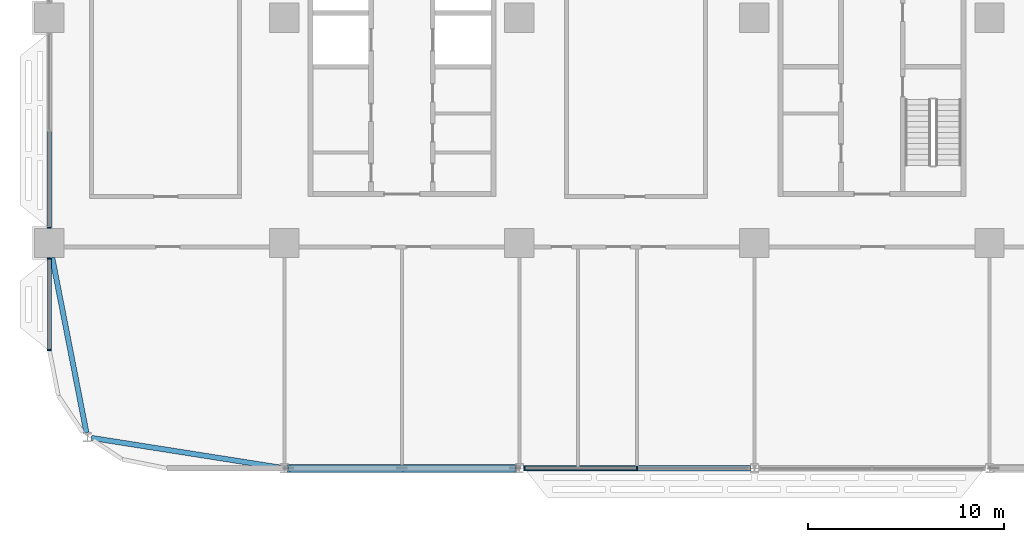
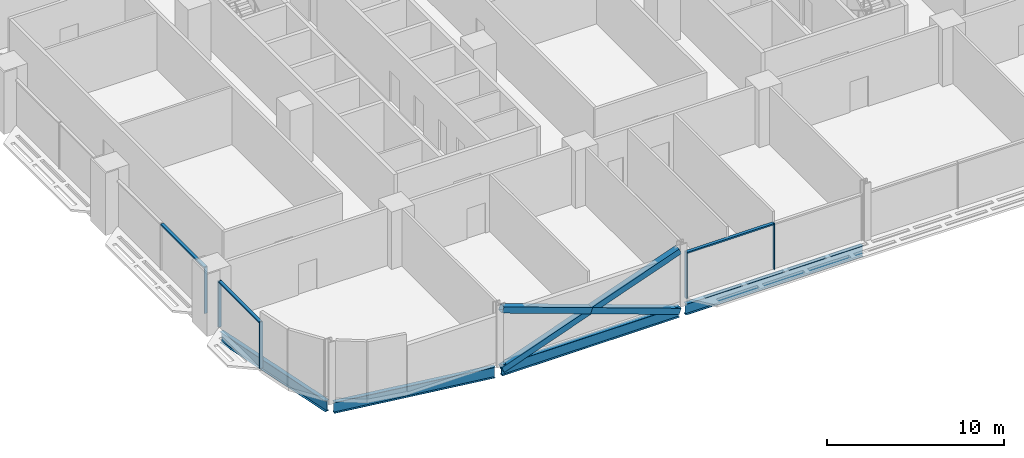
# One storey, part 3 of 29: 11 members, 4 beams, 3 elements without a shape of their own.
"""IFC4 building model written with IfcOpenShell, lengths in metres."""

import ifcopenshell
import ifcopenshell.guid

model = None  # the IFC model being written
_history = None  # IfcOwnerHistory: only IFC2X3 demands one
_inside = {}  # id of a spatial element -> (the spatial element, [elements in it])
_under = {}  # id of a project, library or spatial element -> (it, [spatial elements below it])
_declared = {}  # id of a project -> (the project, [libraries it declares])
_typed = {}  # id of a type object -> (the type object, [elements of that type])
_made_of = {}  # id of a material, layer set ... -> (it, [elements and type objects made of it])


def new_model(schema):
    """Start an empty IFC model of exactly this schema.

    Asked for "IFC4X3", IfcOpenShell would pick the latest addendum, in which some entities
    have other attributes; the version numbers below select the first issue.
    IFC2X3 requires an IfcOwnerHistory on every rooted entity: one is made here for all.
    """
    global model, _history
    if schema == "IFC4X3":
        model = ifcopenshell.file(schema_version=(4, 3, 0, 0))
    else:
        model = ifcopenshell.file(schema=schema)
    _inside.clear()
    _under.clear()
    _declared.clear()
    _typed.clear()
    _made_of.clear()
    _history = None
    if model.schema == "IFC2X3":
        org = make("IfcOrganization", Name="unknown")
        user = make(
            "IfcPersonAndOrganization",
            ThePerson=make("IfcPerson", FamilyName="unknown"),
            TheOrganization=org,
        )
        app = make(
            "IfcApplication",
            ApplicationDeveloper=org,
            Version="unknown",
            ApplicationFullName="unknown",
            ApplicationIdentifier="unknown",
        )
        _history = make(
            "IfcOwnerHistory",
            OwningUser=user,
            OwningApplication=app,
            ChangeAction="ADDED",
            CreationDate=0,
        )
    return model


def make(cls, **values):
    """One entity of the class cls with the attributes given. An attribute that is None is left unset."""
    return model.create_entity(
        cls, **{name: value for name, value in values.items() if value is not None}
    )


def rooted(cls, **values):
    """An entity with a GlobalId (a new one), such as an element, a storey or a relation."""
    return make(cls, GlobalId=ifcopenshell.guid.new(), OwnerHistory=_history, **values)


def si_unit(unit_type, name, prefix=None):
    """IfcSIUnit, for example si_unit("LENGTHUNIT", "METRE", prefix="MILLI")."""
    return make("IfcSIUnit", UnitType=unit_type, Prefix=prefix, Name=name)


def assignment(units):
    """IfcUnitAssignment: the units of a project."""
    return None if units is None else make("IfcUnitAssignment", Units=units)


def point(xyz):
    """IfcCartesianPoint."""
    return None if xyz is None else make("IfcCartesianPoint", Coordinates=xyz)


def direction(xyz):
    """IfcDirection."""
    return None if xyz is None else make("IfcDirection", DirectionRatios=xyz)


def frame(location, z_axis=None, x_axis=None):
    """IfcAxis2Placement3D, a coordinate frame: its origin and axes. An axis left out is left unset."""
    return make(
        "IfcAxis2Placement3D",
        Location=point(location),
        Axis=direction(z_axis),
        RefDirection=direction(x_axis),
    )


def frame_2d(location, x_axis=None):
    """IfcAxis2Placement2D, a coordinate frame in the plane: its origin and x axis."""
    return make(
        "IfcAxis2Placement2D", Location=point(location), RefDirection=direction(x_axis)
    )


def origin():
    """The frame at (0, 0, 0) with its axes left unset."""
    return frame((0.0, 0.0, 0.0))


def origin_2d():
    """The frame at (0, 0) in the plane with its x axis left unset."""
    return frame_2d((0.0, 0.0))


def place(relative_to, where):
    """IfcLocalPlacement: puts the frame where relative to a parent placement (None: the world)."""
    return make(
        "IfcLocalPlacement", PlacementRelTo=relative_to, RelativePlacement=where
    )


def context(
    kind, dimensions, precision=None, world=None, true_north=None, identifier=None
):
    """IfcGeometricRepresentationContext, for example the 3D "Model" context."""
    return make(
        "IfcGeometricRepresentationContext",
        ContextIdentifier=identifier,
        ContextType=kind,
        CoordinateSpaceDimension=dimensions,
        Precision=precision,
        WorldCoordinateSystem=world,
        TrueNorth=true_north,
    )


def subcontext(parent, identifier, kind, view, scale=None):
    """IfcGeometricRepresentationSubContext, for example "Body" below "Model"."""
    return make(
        "IfcGeometricRepresentationSubContext",
        ContextIdentifier=identifier,
        ContextType=kind,
        ParentContext=parent,
        TargetScale=scale,
        TargetView=view,
    )


def project(units=None, contexts=None):
    """IfcProject with its units and contexts."""
    return rooted(
        "IfcProject",
        Name="project",
        RepresentationContexts=contexts,
        UnitsInContext=assignment(units),
    )


def spatial(cls, under=None, at=None, **own):
    """A site, building, storey or space (cls), placed at a placement, below another one or the project."""
    s = rooted(cls, ObjectPlacement=at, **own)
    if under is not None:
        _under.setdefault(under.id(), (under, []))[1].append(s)
    return s


def profile(cls, at=None, kind="AREA", **sizes):
    """A parametric profile (cls). Its sizes go by their IFC names, for example OverallWidth=200.0."""
    return make(cls, ProfileType=kind, Position=at, **sizes)


def rectangle(**sizes):
    """IfcRectangleProfileDef."""
    return profile("IfcRectangleProfileDef", **sizes)


def hollow_rectangle(**sizes):
    """IfcRectangleHollowProfileDef."""
    return profile("IfcRectangleHollowProfileDef", **sizes)


def i_section(**sizes):
    """IfcIShapeProfileDef."""
    return profile("IfcIShapeProfileDef", **sizes)


def extrude(swept, where, along, depth):
    """IfcExtrudedAreaSolid: the profile swept, set in the frame where, extruded along a direction by depth."""
    return make(
        "IfcExtrudedAreaSolid",
        SweptArea=swept,
        Position=where,
        ExtrudedDirection=direction(along),
        Depth=depth,
    )


def shape(context_of_items, identifier, shape_type, items):
    """IfcShapeRepresentation: the items that make up one representation, for example the "Body"."""
    return make(
        "IfcShapeRepresentation",
        ContextOfItems=context_of_items,
        RepresentationIdentifier=identifier,
        RepresentationType=shape_type,
        Items=items,
    )


def material(Name=None, Category=None):
    """IfcMaterial."""
    return make("IfcMaterial", Name=Name, Category=Category)


def material_profile(
    of_material, cross_section, Name=None, Category=None, Priority=None
):
    """IfcMaterialProfile: a cross section and its material."""
    return make(
        "IfcMaterialProfile",
        Name=Name,
        Material=of_material,
        Profile=cross_section,
        Priority=Priority,
        Category=Category,
    )


def profile_set(profiles, Name=None, composite=None):
    """IfcMaterialProfileSet."""
    return make(
        "IfcMaterialProfileSet",
        Name=Name,
        MaterialProfiles=profiles,
        CompositeProfile=composite,
    )


def made_of(thing, what):
    """Note that an element or type object is made of a material, layer set ...; save() writes the relation."""
    if what is not None:
        _made_of.setdefault(what.id(), (what, []))[1].append(thing)
    return thing


def type_object(cls, material=None, **own):
    """A type object (cls), such as IfcWallType, which elements share."""
    return made_of(rooted(cls, **own), material)


def element(
    cls,
    number,
    at=None,
    inside=None,
    cuts=None,
    type_object=None,
    material=None,
    context=None,
    identifier="Body",
    shape_type=None,
    held_by="IfcProductDefinitionShape",
    body=None,
    shapes=None,
    **own,
):
    """One element of the class cls, such as IfcWall. Its Tag is "e" and its number.

    at: its placement. inside: the storey or other place that contains it. cuts: it is an
    opening in that element (IfcRelVoidsElement). A single representation is given by context,
    identifier, shape_type and body (its items); several are given by shapes. held_by: the class
    of the entity that holds the representations. save() writes the other relations.
    """
    e = rooted(cls, Tag="e%d" % number, ObjectPlacement=at, **own)
    if body is not None:
        shapes = [shape(context, identifier, shape_type, body)]
    if shapes is not None:
        e.Representation = make(held_by, Representations=shapes)
    if inside is not None:
        _inside.setdefault(inside.id(), (inside, []))[1].append(e)
    if cuts is not None:
        rooted(
            "IfcRelVoidsElement", RelatingBuildingElement=cuts, RelatedOpeningElement=e
        )
    if type_object is not None:
        _typed.setdefault(type_object.id(), (type_object, []))[1].append(e)
    return made_of(e, material)


def aggregate(whole, parts):
    """IfcRelAggregates: a whole, such as a stair, and the parts it consists of."""
    return rooted("IfcRelAggregates", RelatingObject=whole, RelatedObjects=parts)


def save(model, path):
    """Write the relations noted so far, then the file.

    IfcRelAggregates (storeys below a building ...), IfcRelContainedInSpatialStructure (elements
    in a storey), IfcRelDefinesByType, IfcRelAssociatesMaterial and IfcRelDeclares: one each for
    every whole, place, type object, material and project.
    """
    for whole, parts in _under.values():
        aggregate(whole, parts)
    for where, things in _inside.values():
        rooted(
            "IfcRelContainedInSpatialStructure",
            RelatedElements=things,
            RelatingStructure=where,
        )
    for kind, things in _typed.values():
        rooted("IfcRelDefinesByType", RelatedObjects=things, RelatingType=kind)
    for what, things in _made_of.values():
        rooted("IfcRelAssociatesMaterial", RelatedObjects=things, RelatingMaterial=what)
    for by, libraries in _declared.values():
        rooted("IfcRelDeclares", RelatingContext=by, RelatedDefinitions=libraries)
    model.write(path)


model = new_model("IFC4")

# Units and contexts
model_context = context("Model", 3, precision=1e-05, world=origin(), true_north=direction((0.0, 1.0)))
body_context = subcontext(model_context, "Body", "Model", "MODEL_VIEW")
ifc_project = project(units=[si_unit("LENGTHUNIT", "METRE"), si_unit("AREAUNIT", "SQUARE_METRE"), si_unit("VOLUMEUNIT", "CUBIC_METRE"), si_unit("PLANEANGLEUNIT", "RADIAN"), si_unit("MASSUNIT", "GRAM", prefix="KILO")], contexts=[model_context])

# Site, building, storey
site_placement = place(None, origin())
site = spatial("IfcSite", under=ifc_project, at=site_placement, CompositionType="ELEMENT")
building_placement = place(site_placement, origin())
building = spatial("IfcBuilding", under=site, at=building_placement, Name="Mahtab Terrace Research Tower", CompositionType="ELEMENT")
storey_placement = place(building_placement, frame((0.0, 0.0, 58.89990234375)))
storey = spatial("IfcBuildingStorey", under=building, at=storey_placement, Name="L13", CompositionType="ELEMENT", Elevation=58.89990234375)

# Members
ifc_material_1 = material(Name="Steel ASTM A500 Gr C", Category="steel")
ifc_material_profile_1 = material_profile(ifc_material_1, hollow_rectangle(XDim=0.406494140625, YDim=0.406494140625, WallThickness=0.01904296875, at=origin_2d()), Name="HSS16X16X3/4")
ifc_profile_set_1 = profile_set([ifc_material_profile_1], Name="Steel ASTM A500 Gr C")
member_type_1 = type_object("IfcMemberType", Name="HSS 16x16x3/4 brace XB161634", PredefinedType="BRACE", material=ifc_profile_set_1)
member_1_placement = place(storey_placement, frame((-29.787841796875, -23.0, -0.642333984375), z_axis=(0.941386519928, 0.0, 0.337329838731), x_axis=(0.0, 1.0, 0.0)))
element("IfcMember", 1, at=member_1_placement, inside=storey, type_object=member_type_1, Name="Exoskeleton brace L13 14 a", PredefinedType="BRACE", context=body_context, shape_type="SweptSolid", body=[
    extrude(hollow_rectangle(XDim=0.406494140625, YDim=0.406494140625, WallThickness=0.01904296875, at=origin_2d()), origin(), (0.0, 0.0, 1.0), 12.29638671875),
])
for number, where, z_axis, x_axis, name in (
    (2, (-18.212158203125, -23.0, -0.642333984375), (-0.941386519928, 0.0, 0.337329838731), (0.0, -1.0, 0.0), "Exoskeleton brace L13 14 b1"),
    (3, (-24.0, -23.0, 1.431640625), (-0.941386519928, 0.0, 0.337329838731), (0.0, -1.0, 0.0), "Exoskeleton brace L13 14 b2"),
):
    element("IfcMember", number, at=place(storey_placement, frame(where, z_axis=z_axis, x_axis=x_axis)), inside=storey, type_object=member_type_1, Name=name, PredefinedType="BRACE", context=body_context, shape_type="SweptSolid", body=[
        extrude(hollow_rectangle(XDim=0.406494140625, YDim=0.406494140625, WallThickness=0.01904296875, at=origin_2d()), origin(), (0.0, 0.0, 1.0), 6.148193359375),
    ])

# Curtain wall, member
ifc_material_2 = material(Name="Laboratory ribbon curtain wall")
curtain_wall_type = type_object("IfcCurtainWallType", Name="Laboratory ribbon curtain wall", PredefinedType="NOTDEFINED", material=ifc_material_2)
curtain_wall_1_placement = place(storey_placement, origin())
curtain_wall_1 = element("IfcCurtainWall", 4, at=curtain_wall_1_placement, inside=storey, type_object=curtain_wall_type, Name="EN.L13.8.17", PredefinedType="NOTDEFINED")
ifc_material_3 = material(Name="Natural anodised aluminium", Category="aluminium")
ifc_material_profile_2 = material_profile(ifc_material_3, rectangle(XDim=0.199951171875, YDim=0.06494140625, at=origin_2d()), Name="MULLION 65x200")
ifc_profile_set_2 = profile_set([ifc_material_profile_2], Name="Natural anodised aluminium")
member_type_2 = type_object("IfcMemberType", Name="Laboratory ribbon curtain wall mullion", PredefinedType="MULLION", material=ifc_profile_set_2)
member_2_placement = place(storey_placement, frame((-42.0, -10.717529296875, 0.0), z_axis=(0.0, 0.0, 1.0), x_axis=(1.0, 0.0, 0.0)))
member_2 = element("IfcMember", 5, at=member_2_placement, type_object=member_type_2, Name="CWL-2 mullion 3", PredefinedType="MULLION", context=body_context, shape_type="SweptSolid", body=[
    extrude(rectangle(XDim=0.199951171875, YDim=0.06494140625, at=origin_2d()), origin(), (0.0, 0.0, 1.0), 3.203125),
])

# Curtain wall, members
curtain_wall_2_placement = place(storey_placement, origin())
curtain_wall_2 = element("IfcCurtainWall", 6, at=curtain_wall_2_placement, inside=storey, type_object=curtain_wall_type, Name="EN.L13.8.18", PredefinedType="NOTDEFINED")
member_3_placement = place(storey_placement, frame((-42.0, -12.282470703125, 0.0), z_axis=(0.0, 0.0, 1.0), x_axis=(1.0, 0.0, 0.0)))
member_3 = element("IfcMember", 7, at=member_3_placement, type_object=member_type_2, Name="CWL-2 mullion 1", PredefinedType="MULLION", context=body_context, shape_type="SweptSolid", body=[
    extrude(rectangle(XDim=0.199951171875, YDim=0.06494140625, at=origin_2d()), origin(), (0.0, 0.0, 1.0), 3.203125),
])
member_4_placement = place(storey_placement, frame((-42.0, -16.967529296875, 0.0), z_axis=(0.0, 0.0, 1.0), x_axis=(1.0, 0.0, 0.0)))
member_4 = element("IfcMember", 8, at=member_4_placement, type_object=member_type_2, Name="CWL-2 mullion 2", PredefinedType="MULLION", context=body_context, shape_type="SweptSolid", body=[
    extrude(rectangle(XDim=0.199951171875, YDim=0.06494140625, at=origin_2d()), origin(), (0.0, 0.0, 1.0), 3.203125),
])

curtain_wall_3_placement = place(storey_placement, origin())
curtain_wall_3 = element("IfcCurtainWall", 9, at=curtain_wall_3_placement, inside=storey, type_object=curtain_wall_type, Name="EN.L13.13.25", PredefinedType="NOTDEFINED")
member_5_placement = place(storey_placement, frame((-17.7294921875, -23.0, 0.0), z_axis=(0.0, 0.0, 1.0), x_axis=(0.0, 1.0, 0.0)))
member_5 = element("IfcMember", 10, at=member_5_placement, type_object=member_type_2, Name="CWL-2 mullion 1", PredefinedType="MULLION", context=body_context, shape_type="SweptSolid", body=[
    extrude(rectangle(XDim=0.199951171875, YDim=0.06494140625, at=origin_2d()), origin(), (0.0, 0.0, 1.0), 3.203125),
])
member_6_placement = place(storey_placement, frame((-12.0, -23.0, 0.0), z_axis=(0.0, 0.0, 1.0), x_axis=(0.0, 1.0, 0.0)))
member_6 = element("IfcMember", 11, at=member_6_placement, type_object=member_type_2, Name="CWL-2 mullion 2", PredefinedType="MULLION", context=body_context, shape_type="SweptSolid", body=[
    extrude(rectangle(XDim=0.199951171875, YDim=0.06494140625, at=origin_2d()), origin(), (0.0, 0.0, 1.0), 3.203125),
])

# Member
ifc_material_profile_3 = material_profile(ifc_material_3, rectangle(XDim=0.199951171875, YDim=0.10009765625, at=origin_2d()), Name="TRANSOM 100x200")
ifc_profile_set_3 = profile_set([ifc_material_profile_3], Name="Natural anodised aluminium")
member_type_3 = type_object("IfcMemberType", Name="Laboratory ribbon curtain wall transom", PredefinedType="USERDEFINED", material=ifc_profile_set_3)
member_7_placement = place(storey_placement, frame((-42.0, -5.782470703125, 3.153076171875), z_axis=(0.0, -1.0, 0.0), x_axis=(1.0, 0.0, 0.0)))
member_7 = element("IfcMember", 12, at=member_7_placement, type_object=member_type_3, Name="CWL-2 transom 2", ObjectType="TRANSOM", PredefinedType="USERDEFINED", context=body_context, shape_type="SweptSolid", body=[
    extrude(rectangle(XDim=0.199951171875, YDim=0.10009765625, at=origin_2d()), origin(), (0.0, 0.0, 1.0), 4.902587890625),
])

aggregate(curtain_wall_1, [member_2, member_7])

member_8_placement = place(storey_placement, frame((-42.0, -12.31494140625, 3.153076171875), z_axis=(0.0, -1.0, 0.0), x_axis=(1.0, 0.0, 0.0)))
member_8 = element("IfcMember", 13, at=member_8_placement, type_object=member_type_3, Name="CWL-2 transom 1", ObjectType="TRANSOM", PredefinedType="USERDEFINED", context=body_context, shape_type="SweptSolid", body=[
    extrude(rectangle(XDim=0.199951171875, YDim=0.10009765625, at=origin_2d()), origin(), (0.0, 0.0, 1.0), 4.6201171875),
])

aggregate(curtain_wall_2, [member_3, member_4, member_8])

member_9_placement = place(storey_placement, frame((-17.697021484375, -23.0, 3.153076171875), z_axis=(1.0, 0.0, 0.0), x_axis=(0.0, 1.0, 0.0)))
member_9 = element("IfcMember", 14, at=member_9_placement, type_object=member_type_3, Name="CWL-2 transom 1", ObjectType="TRANSOM", PredefinedType="USERDEFINED", context=body_context, shape_type="SweptSolid", body=[
    extrude(rectangle(XDim=0.199951171875, YDim=0.10009765625, at=origin_2d()), origin(), (0.0, 0.0, 1.0), 5.66455078125),
])

aggregate(curtain_wall_3, [member_5, member_6, member_9])

# Beams
ifc_material_4 = material(Name="Steel ASTM A992 Gr 50", Category="steel")
ifc_material_profile_4 = material_profile(ifc_material_4, i_section(OverallWidth=0.2666015625, OverallDepth=0.7568359375, WebThickness=0.013916015625, FlangeThickness=0.019287109375, at=origin_2d()), Name="W30X108")
ifc_profile_set_4 = profile_set([ifc_material_profile_4], Name="Steel ASTM A992 Gr 50")
beam_type = type_object("IfcBeamType", Name="W30x108 beam BS30108", PredefinedType="BEAM", material=ifc_profile_set_4)
beam_1_placement = place(storey_placement, frame((-41.853515625, -12.25, -0.71826171875), z_axis=(0.191825617976, -0.981429025599, 0.0), x_axis=(0.981429025599, 0.191825617976, 0.0)))
element("IfcBeam", 15, at=beam_1_placement, inside=storey, type_object=beam_type, Name="Spandrel beam L13 12", PredefinedType="BEAM", context=body_context, shape_type="SweptSolid", body=[
    extrude(i_section(OverallWidth=0.2666015625, OverallDepth=0.7568359375, WebThickness=0.013916015625, FlangeThickness=0.019287109375, at=origin_2d()), origin(), (0.0, 0.0, 1.0), 9.097412109375),
])
beam_2_placement = place(storey_placement, frame((-39.849853515625, -21.449462890625, -0.71826171875), z_axis=(0.987836303792, -0.155497385545, 0.0), x_axis=(0.155497385545, 0.987836303792, 0.0)))
element("IfcBeam", 16, at=beam_2_placement, inside=storey, type_object=beam_type, Name="Spandrel beam L13 13", PredefinedType="BEAM", context=body_context, shape_type="SweptSolid", body=[
    extrude(i_section(OverallWidth=0.2666015625, OverallDepth=0.7568359375, WebThickness=0.013916015625, FlangeThickness=0.019287109375, at=origin_2d()), origin(), (0.0, 0.0, 1.0), 9.75634765625),
])
for number, where, z_axis, x_axis, name in (
    (17, (-29.787841796875, -23.0, -0.71826171875), (1.0, 0.0, 0.0), (0.0, 1.0, 0.0), "Spandrel beam L13 14"),
    (18, (-17.787841796875, -23.0, -0.71826171875), (1.0, 0.0, 0.0), (0.0, 1.0, 0.0), "Spandrel beam L13 15"),
):
    element("IfcBeam", number, at=place(storey_placement, frame(where, z_axis=z_axis, x_axis=x_axis)), inside=storey, type_object=beam_type, Name=name, PredefinedType="BEAM", context=body_context, shape_type="SweptSolid", body=[
        extrude(i_section(OverallWidth=0.2666015625, OverallDepth=0.7568359375, WebThickness=0.013916015625, FlangeThickness=0.019287109375, at=origin_2d()), origin(), (0.0, 0.0, 1.0), 11.57568359375),
    ])

save(model, "model.ifc")
